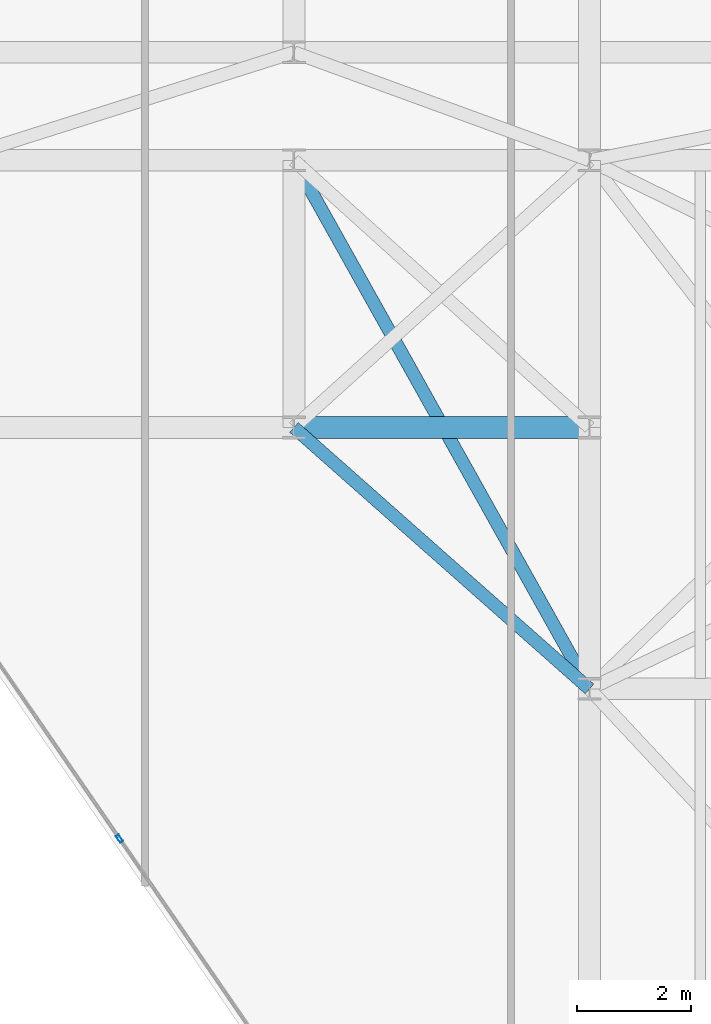
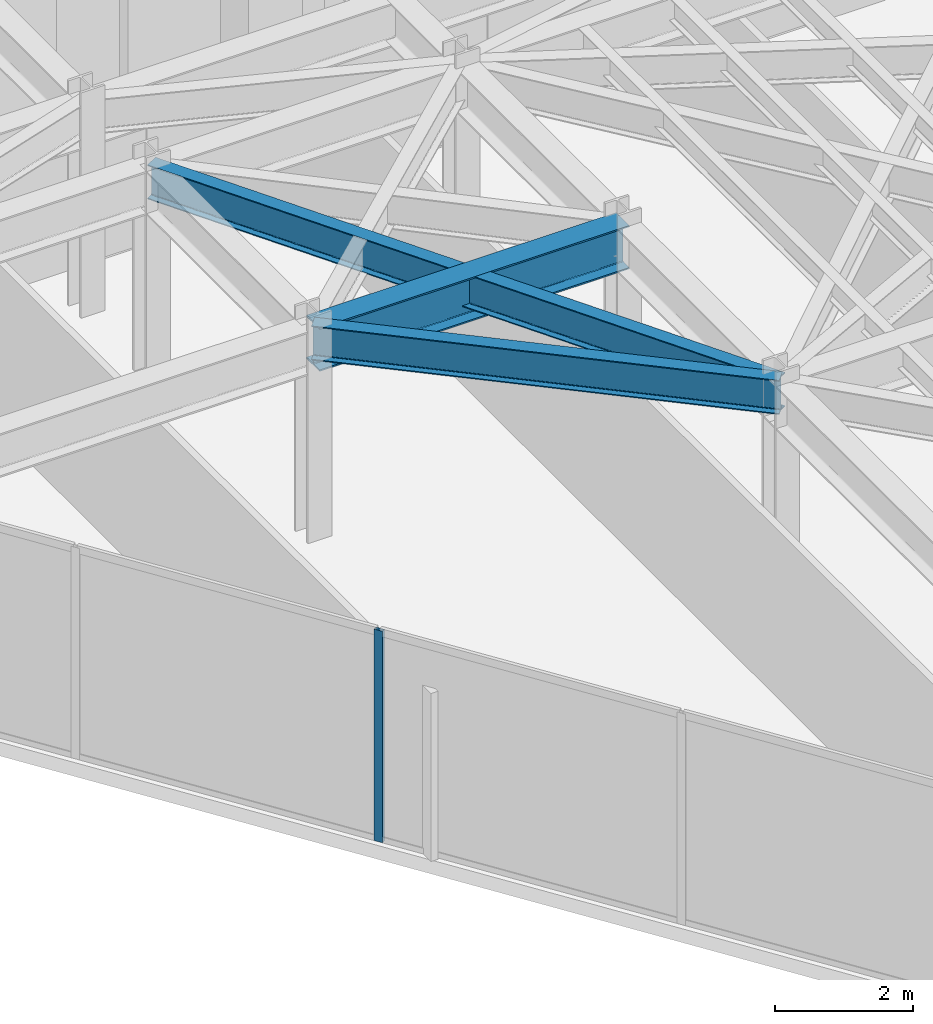
# One storey, part 18 of 26: 3 beams, 1 member, 1 element without a shape of its own.
"""IFC4 building model written with IfcOpenShell, lengths in metres."""

from ifc_helpers import new_model, si_unit, direction, frame, origin, origin_2d, place, context, subcontext, project, spatial, hollow_rectangle, i_section, extrude, material, layer, layer_set, material_profile, profile_set, type_object, element, aggregate, save


model = new_model("IFC4")

# Units and contexts
model_context = context("Model", 3, precision=1e-05, world=origin(), true_north=direction((0.0, 1.0)))
body_context = subcontext(model_context, "Body", "Model", "MODEL_VIEW")
ifc_project = project(units=[si_unit("LENGTHUNIT", "METRE"), si_unit("AREAUNIT", "SQUARE_METRE"), si_unit("VOLUMEUNIT", "CUBIC_METRE"), si_unit("PLANEANGLEUNIT", "RADIAN"), si_unit("MASSUNIT", "GRAM", prefix="KILO")], contexts=[model_context])

# Site, building, storey
site_placement = place(None, origin())
site = spatial("IfcSite", under=ifc_project, at=site_placement, CompositionType="ELEMENT")
building_placement = place(site_placement, origin())
building = spatial("IfcBuilding", under=site, at=building_placement, Name="Kravanh Interchange Tower", CompositionType="ELEMENT")
storey_placement = place(building_placement, frame((0.0, 0.0, 212.5)))
storey = spatial("IfcBuildingStorey", under=building, at=storey_placement, Name="L51", CompositionType="ELEMENT", Elevation=212.5)

# Curtain wall, member
ifc_material_1 = material(Name="Anodised Bronze Aluminium", Category="aluminium")
ifc_layer = layer(ifc_material_1, 0.179931640625)
ifc_layer_set = layer_set([ifc_layer], Name="Unitised Curtain Wall System CW-Z3 Upper Office")
curtain_wall_type = type_object("IfcCurtainWallType", Name="Unitised Curtain Wall System CW-Z3 Upper Office", PredefinedType="NOTDEFINED", material=ifc_layer_set)
curtain_wall_placement = place(storey_placement, origin())
curtain_wall = element("IfcCurtainWall", 1, at=curtain_wall_placement, inside=storey, type_object=curtain_wall_type, Name="L51 Unitised Curtain Wall CW-L51-04", PredefinedType="NOTDEFINED")
ifc_material_2 = material(Name="Anodised Bronze Aluminium", Category="aluminium")
ifc_material_profile_1 = material_profile(ifc_material_2, hollow_rectangle(XDim=0.06005859375, YDim=0.139892578125, WallThickness=0.00390625, at=origin_2d()), Name="ALU60X140X4")
ifc_profile_set_1 = profile_set([ifc_material_profile_1], Name="Anodised Bronze Aluminium")
member_type = type_object("IfcMemberType", Name="Curtain Wall Mullion ALU60X140X4 Bronze", PredefinedType="MULLION", material=ifc_profile_set_1)
member_placement = place(storey_placement, frame((47.7314453125, 19.56591796875, 0.0), z_axis=(0.0, 0.0, 1.0), x_axis=(-0.824042223035, -0.566528388217, 0.0)))
member = element("IfcMember", 2, at=member_placement, type_object=member_type, Name="CW-Z3 mullion 3", PredefinedType="MULLION", context=body_context, shape_type="SweptSolid", body=[
    extrude(hollow_rectangle(XDim=0.06005859375, YDim=0.139892578125, WallThickness=0.00390625, at=origin_2d()), origin(), (0.0, 0.0, 1.0), 3.7548828125),
])
aggregate(curtain_wall, [member])

# Beams
ifc_material_3 = material(Name="Structural Steel S355", Category="steel")
ifc_material_profile_2 = material_profile(ifc_material_3, i_section(OverallWidth=0.381103515625, OverallDepth=0.77294921875, WebThickness=0.0166015625, FlangeThickness=0.027099609375, FilletRadius=0.02490234375, at=origin_2d()), Name="W30X173")
ifc_profile_set_2 = profile_set([ifc_material_profile_2], Name="Structural Steel S355")
beam_type_1 = type_object("IfcBeamType", Name="Floor Beam W30X173 Structural Steel S355", PredefinedType="BEAM", material=ifc_profile_set_2)
beam_1_placement = place(storey_placement, frame((50.800048828125, 26.800048828125, 3.368408203125), z_axis=(1.0, 0.0, 0.0), x_axis=(0.0, 1.0, 0.0)))
element("IfcBeam", 3, at=beam_1_placement, inside=storey, type_object=beam_type_1, Name="L51 Primary Floor Girder 50", PredefinedType="BEAM", context=body_context, shape_type="SweptSolid", body=[
    extrude(i_section(OverallWidth=0.381103515625, OverallDepth=0.77294921875, WebThickness=0.0166015625, FlangeThickness=0.027099609375, FilletRadius=0.02490234375, at=origin_2d()), origin(), (0.0, 0.0, 1.0), 5.199951171875),
])
ifc_material_4 = material(Name="Structural Steel S355", Category="steel")
ifc_material_profile_3 = material_profile(ifc_material_4, i_section(OverallWidth=0.22802734375, OverallDepth=0.60791015625, WebThickness=0.01123046875, FlangeThickness=0.017333984375, FilletRadius=0.02197265625, at=origin_2d()), Name="W24X76")
ifc_profile_set_3 = profile_set([ifc_material_profile_3], Name="Structural Steel S355")
beam_type_2 = type_object("IfcBeamType", Name="Floor Spandrel W24X76 Structural Steel S355", PredefinedType="SPANDREL", material=ifc_profile_set_3)
beam_2_placement = place(storey_placement, frame((50.800048828125, 26.800048828125, 3.450927734375), z_axis=(0.74898649432, -0.662585263439, 0.0), x_axis=(0.662585263439, 0.74898649432, 0.0)))
element("IfcBeam", 4, at=beam_2_placement, inside=storey, type_object=beam_type_2, Name="L51 Perimeter Spandrel 51", PredefinedType="SPANDREL", context=body_context, shape_type="SweptSolid", body=[
    extrude(i_section(OverallWidth=0.22802734375, OverallDepth=0.60791015625, WebThickness=0.01123046875, FlangeThickness=0.017333984375, FilletRadius=0.02197265625, at=origin_2d()), origin(), (0.0, 0.0, 1.0), 6.942626953125),
])
beam_3_placement = place(storey_placement, frame((50.800048828125, 31.5, 3.450927734375), z_axis=(0.488026248114, -0.872828952975, 0.0), x_axis=(0.872828952975, 0.488026248114, 0.0)))
element("IfcBeam", 5, at=beam_3_placement, inside=storey, type_object=beam_type_2, Name="L51 Perimeter Spandrel 78", PredefinedType="SPANDREL", context=body_context, shape_type="SweptSolid", body=[
    extrude(i_section(OverallWidth=0.22802734375, OverallDepth=0.60791015625, WebThickness=0.01123046875, FlangeThickness=0.017333984375, FilletRadius=0.02197265625, at=origin_2d()), origin(), (0.0, 0.0, 1.0), 10.655029296875),
])

save(model, "model.ifc")
